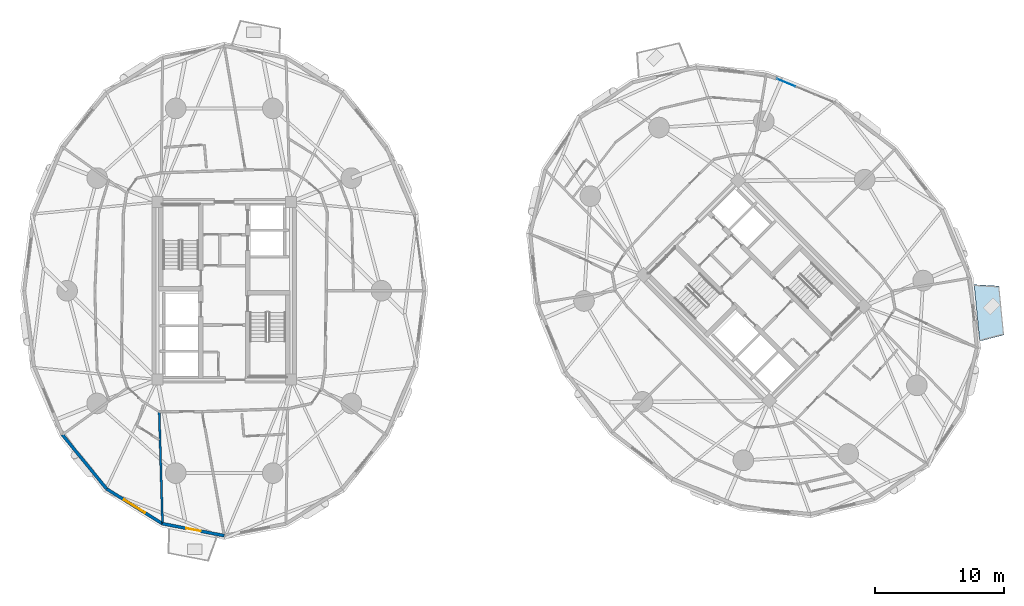
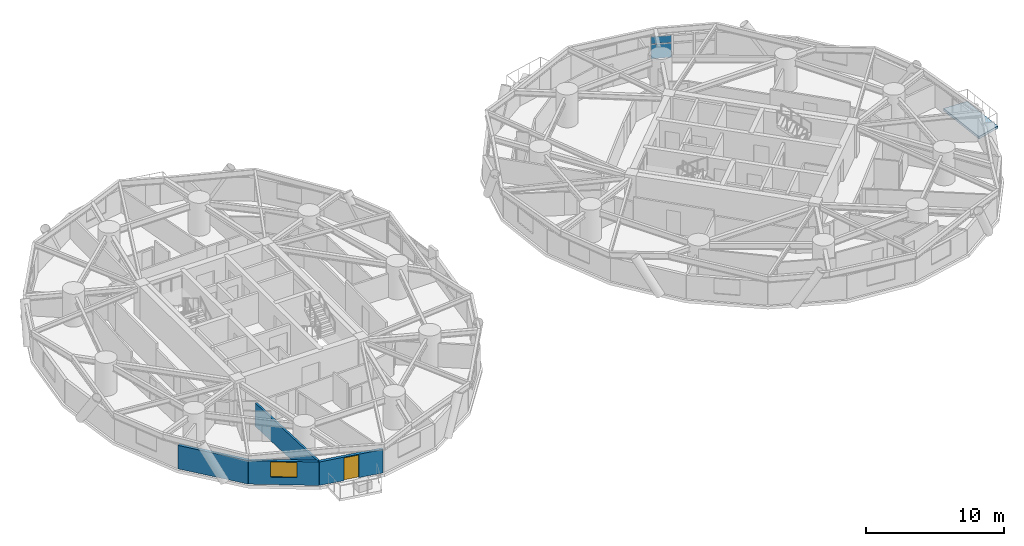
# One storey, part 8 of 19: 4 walls, 2 plates, 1 door, 1 slab, 1 window, 2 openings, 1 element without a shape of its own.
"""IFC4 building model written with IfcOpenShell, lengths in metres."""

from ifc_helpers import new_model, si_unit, direction, frame, frame_2d, origin, origin_2d, place, context, subcontext, project, spatial, polyline, rectangle, outline, extrude, source, transform, mapped, material, layer, layer_set, type_object, element, fill, aggregate, save


model = new_model("IFC4")

# Units and contexts
model_context = context("Model", 3, precision=1e-05, world=origin(), true_north=direction((0.0, 1.0)))
body_context = subcontext(model_context, "Body", "Model", "MODEL_VIEW")
ifc_project = project(units=[si_unit("LENGTHUNIT", "METRE"), si_unit("AREAUNIT", "SQUARE_METRE"), si_unit("VOLUMEUNIT", "CUBIC_METRE"), si_unit("PLANEANGLEUNIT", "RADIAN"), si_unit("MASSUNIT", "GRAM", prefix="KILO")], contexts=[model_context])

# Site, building, storey
site_placement = place(None, origin())
site = spatial("IfcSite", under=ifc_project, at=site_placement, CompositionType="ELEMENT")
building_placement = place(site_placement, origin())
building = spatial("IfcBuilding", under=site, at=building_placement, Name="Cununo Teusaquillo Station Towers", CompositionType="ELEMENT")
storey_placement = place(building_placement, frame((0.0, 0.0, 42.3701171875)))
storey = spatial("IfcBuildingStorey", under=building, at=storey_placement, Name="L12", CompositionType="ELEMENT", Elevation=42.3701171875)

# Slab
ifc_material_1 = material(Name="Concrete C50/60", Category="concrete")
ifc_layer_1 = layer(ifc_material_1, 0.2099609375)
ifc_layer_set_1 = layer_set([ifc_layer_1], Name="Concrete C50/60")
slab_type = type_object("IfcSlabType", Name="SLB-BAL-210", PredefinedType="FLOOR", material=ifc_layer_set_1)
slab_placement = place(storey_placement, frame((0.0, 0.0, -0.210205078125)))
element("IfcSlab", 1, at=slab_placement, inside=storey, type_object=slab_type, Name="L12 Tower B Tree Balcony Slab 2", PredefinedType="FLOOR", context=body_context, shape_type="SweptSolid", body=[
    extrude(outline(polyline([(75.02099609375, 20.59375), (74.586669921875, 24.97900390625), (76.52197265625, 24.869140625), (76.897216796875, 21.081298828125), (75.02099609375, 20.59375)])), origin(), (0.0, 0.0, 1.0), 0.210205078125),
])

# Curtain wall, plates
ifc_material_2 = material(Name="Ceramic-fritted dark low-E double glazing", Category="glass")
ifc_layer_2 = layer(ifc_material_2, 0.179931640625)
ifc_layer_set_2 = layer_set([ifc_layer_2], Name="Ceramic-fritted dark low-E double glazing")
curtain_wall_type = type_object("IfcCurtainWallType", Name="CW-SYS-02", PredefinedType="USERDEFINED", material=ifc_layer_set_2)
curtain_wall_placement = place(storey_placement, origin())
curtain_wall = element("IfcCurtainWall", 2, at=curtain_wall_placement, inside=storey, type_object=curtain_wall_type, Name="L12 Tower B Facade Curtain Wall C01", ObjectType="FRITTED GLAZING", PredefinedType="USERDEFINED")
ifc_material_3 = material(Name="Ceramic-fritted dark low-E double glazing", Category="glass")
ifc_layer_3 = layer(ifc_material_3, 0.028076171875)
ifc_layer_set_3 = layer_set([ifc_layer_3], Name="Ceramic-fritted dark low-E double glazing")
plate_type = type_object("IfcPlateType", Name="CWP-FRIT-28", PredefinedType="CURTAIN_PANEL", material=ifc_layer_set_3)
shared_shape_1 = source(origin(), body_context, "Body", "SweptSolid", [
    extrude(rectangle(XDim=1.52099609375, YDim=0.028076171875, at=origin_2d()), origin(), (0.0, 0.0, 1.0), 1.241943359375),
])
plate_1_placement = place(storey_placement, frame((60.03564453125, 40.610595703125, 0.06982421875), z_axis=(0.0, 0.0, 1.0), x_axis=(0.924552379146, -0.381054980568, 0.0)))
plate_1 = element("IfcPlate", 3, at=plate_1_placement, type_object=plate_type, Name="CW-02 panel 1.1", PredefinedType="CURTAIN_PANEL", context=body_context, shape_type="MappedRepresentation", body=[
    mapped(shared_shape_1, transform((0.0, 0.0, 0.0), x_axis=(1.0, 0.0, 0.0), y_axis=(0.0, 1.0, 0.0), z_axis=(0.0, 0.0, 1.0), scale=1.0)),
])
shared_shape_2 = source(origin(), body_context, "Body", "SweptSolid", [
    extrude(rectangle(XDim=1.52099609375, YDim=0.028076171875, at=origin_2d()), origin(), (0.0, 0.0, 1.0), 0.62109375),
])
plate_2_placement = place(storey_placement, frame((60.03564453125, 40.610595703125, 1.3818359375), z_axis=(0.0, 0.0, 1.0), x_axis=(0.924552379146, -0.381054980568, 0.0)))
plate_2 = element("IfcPlate", 4, at=plate_2_placement, type_object=plate_type, Name="CW-02 panel 1.2", PredefinedType="CURTAIN_PANEL", context=body_context, shape_type="MappedRepresentation", body=[
    mapped(shared_shape_2, transform((0.0, 0.0, 0.0), x_axis=(1.0, 0.0, 0.0), y_axis=(0.0, 1.0, 0.0), z_axis=(0.0, 0.0, 1.0), scale=1.0)),
])
aggregate(curtain_wall, [plate_1, plate_2])

# Wall
ifc_material_4 = material(Name="Precast concrete C40/50", Category="concrete")
ifc_layer_4 = layer(ifc_material_4, 0.239990234375)
ifc_layer_set_4 = layer_set([ifc_layer_4], Name="Precast concrete C40/50")
wall_type_1 = type_object("IfcWallType", Name="WL-EXT-240", PredefinedType="SOLIDWALL", material=ifc_layer_set_4)
wall_1_placement = place(storey_placement, frame((7.389892578125, 9.15283203125, 0.0), z_axis=(0.0, 0.0, 1.0), x_axis=(-0.632710215588, 0.774388651189, 0.0)))
element("IfcWall", 5, at=wall_1_placement, inside=storey, type_object=wall_type_1, Name="L12 Tower A Exterior Facade Wall C12", PredefinedType="SOLIDWALL", context=body_context, shape_type="SweptSolid", body=[
    extrude(rectangle(XDim=5.41943359375, YDim=0.239990234375, at=frame_2d((2.709716796875, 0.0))), origin(), (0.0, 0.0, 1.0), 2.072998046875),
])

# Wall, opening, window
wall_2_placement = place(storey_placement, frame((11.71044921875, 6.45849609375, 0.0), z_axis=(0.0, 0.0, 1.0), x_axis=(-0.848528534887, 0.529149624853, 0.0)))
wall_2 = element("IfcWall", 6, at=wall_2_placement, inside=storey, type_object=wall_type_1, Name="L12 Tower A Exterior Facade Wall C13", PredefinedType="SOLIDWALL", context=body_context, shape_type="SweptSolid", body=[
    extrude(rectangle(XDim=5.091796875, YDim=0.239990234375, at=frame_2d((2.5458984375, 0.0))), origin(), (0.0, 0.0, 1.0), 2.072998046875),
])
shared_shape_3 = source(origin(), body_context, "Body", "SweptSolid", [
    extrude(rectangle(XDim=1.89990234375, YDim=1.35009765625, at=frame_2d((0.949951171875, 0.675048828125))), frame((0.0, 0.1298828125, 0.0), z_axis=(0.0, -1.0, 0.0), x_axis=(1.0, 0.0, 0.0)), (0.0, 0.0, 1.0), 0.260009765625),
])
opening_1_placement = place(wall_2_placement, frame((1.595947265625, 0.0, 0.64990234375)))
opening_1 = element("IfcOpeningElement", 7, at=opening_1_placement, cuts=wall_2, Name="Opening WN-02", PredefinedType="OPENING", context=body_context, shape_type="MappedRepresentation", body=[
    mapped(shared_shape_3, transform((0.0, 0.0, 0.0), x_axis=(1.0, 0.0, 0.0), y_axis=(0.0, 1.0, 0.0), z_axis=(0.0, 0.0, 1.0), scale=1.0)),
])
ifc_material_5 = material(Name="Operable acoustic tinted low-E double glazing", Category="glass")
window_type = type_object("IfcWindowType", Name="WIN-OPER-1900", PartitioningType="DOUBLE_PANEL_VERTICAL", PredefinedType="WINDOW", material=ifc_material_5)
shared_shape_4 = source(origin(), body_context, "Body", "SweptSolid", [
    extrude(rectangle(XDim=1.89990234375, YDim=1.35009765625, at=frame_2d((0.949951171875, 0.675048828125))), frame((0.0, 0.030029296875, 0.0), z_axis=(0.0, -1.0, 0.0), x_axis=(1.0, 0.0, 0.0)), (0.0, 0.0, 1.0), 0.06005859375),
])
window_placement = place(opening_1_placement, origin())
window = element("IfcWindow", 8, at=window_placement, inside=storey, type_object=window_type, Name="L12 Tower A Facade Window C13", OverallHeight=1.35009765625, OverallWidth=1.89990234375, PartitioningType="DOUBLE_PANEL_VERTICAL", PredefinedType="WINDOW", context=body_context, shape_type="MappedRepresentation", body=[
    mapped(shared_shape_4, transform((0.0, 0.0, 0.0), x_axis=(1.0, 0.0, 0.0), y_axis=(0.0, 1.0, 0.0), z_axis=(0.0, 0.0, 1.0), scale=1.0)),
])
fill(opening_1, window)

# Wall, opening, door
wall_3_placement = place(storey_placement, frame((16.5, 5.530029296875, 0.0), z_axis=(0.0, 0.0, 1.0), x_axis=(-0.981724094622, 0.190309752872, 0.0)))
wall_3 = element("IfcWall", 9, at=wall_3_placement, inside=storey, type_object=wall_type_1, Name="L12 Tower A Exterior Facade Wall C14", PredefinedType="SOLIDWALL", context=body_context, shape_type="SweptSolid", body=[
    extrude(rectangle(XDim=4.878662109375, YDim=0.239990234375, at=frame_2d((2.439453125, 0.0))), origin(), (0.0, 0.0, 1.0), 2.072998046875),
])
shared_shape_5 = source(origin(), body_context, "Body", "SweptSolid", [
    extrude(rectangle(XDim=1.14990234375, YDim=2.0048828125, at=frame_2d((0.574951171875, 1.00244140625))), frame((0.0, 0.1298828125, 0.0), z_axis=(0.0, -1.0, 0.0), x_axis=(1.0, 0.0, 0.0)), (0.0, 0.0, 1.0), 0.260009765625),
])
opening_2_placement = place(wall_3_placement, frame((1.864013671875, 0.0, 0.0)))
opening_2 = element("IfcOpeningElement", 10, at=opening_2_placement, cuts=wall_3, Name="Opening ED-03", PredefinedType="OPENING", context=body_context, shape_type="MappedRepresentation", body=[
    mapped(shared_shape_5, transform((0.0, 0.0, 0.0), x_axis=(1.0, 0.0, 0.0), y_axis=(0.0, 1.0, 0.0), z_axis=(0.0, 0.0, 1.0), scale=1.0)),
])
ifc_material_6 = material(Name="Anodised dark bronze aluminium EN AW-6063-T6", Category="aluminium")
door_type = type_object("IfcDoorType", Name="DR-EXT-BAL", OperationType="NOTDEFINED", PredefinedType="DOOR", material=ifc_material_6)
shared_shape_6 = source(origin(), body_context, "Body", "SweptSolid", [
    extrude(rectangle(XDim=1.14990234375, YDim=2.0048828125, at=frame_2d((0.574951171875, 1.00244140625))), frame((0.0, 0.02490234375, 0.0), z_axis=(0.0, -1.0, 0.0), x_axis=(1.0, 0.0, 0.0)), (0.0, 0.0, 1.0), 0.050048828125),
])
door_placement = place(opening_2_placement, origin())
door = element("IfcDoor", 11, at=door_placement, inside=storey, type_object=door_type, Name="L12 Tower A Tree Balcony Door C14", OperationType="SINGLE_SWING_LEFT", OverallHeight=2.0048828125, OverallWidth=1.14990234375, PredefinedType="DOOR", context=body_context, shape_type="MappedRepresentation", body=[
    mapped(shared_shape_6, transform((0.0, 0.0, 0.0), x_axis=(1.0, 0.0, 0.0), y_axis=(0.0, 1.0, 0.0), z_axis=(0.0, 0.0, 1.0), scale=1.0)),
])
fill(opening_2, door)

# Wall
ifc_material_7 = material(Name="Fire-rated gypsum plasterboard partition assembly", Category="gypsum")
ifc_layer_5 = layer(ifc_material_7, 0.159912109375)
ifc_layer_set_5 = layer_set([ifc_layer_5], Name="Fire-rated gypsum plasterboard partition assembly")
wall_type_2 = type_object("IfcWallType", Name="WL-PART-160", PredefinedType="PARTITIONING", material=ifc_layer_set_5)
wall_4_placement = place(storey_placement, frame((11.459716796875, 15.128662109375, 0.0), z_axis=(0.0, 0.0, 1.0), x_axis=(0.029703270067, -0.999558760528, 0.0)))
element("IfcWall", 12, at=wall_4_placement, inside=storey, type_object=wall_type_2, Name="L12 Tower A Radial Suite Partition R06", PredefinedType="PARTITIONING", context=body_context, shape_type="SweptSolid", body=[
    extrude(rectangle(XDim=8.655029296875, YDim=0.159912109375, at=frame_2d((4.32763671875, 0.0))), origin(), (0.0, 0.0, 1.0), 2.072998046875),
])

save(model, "model.ifc")
